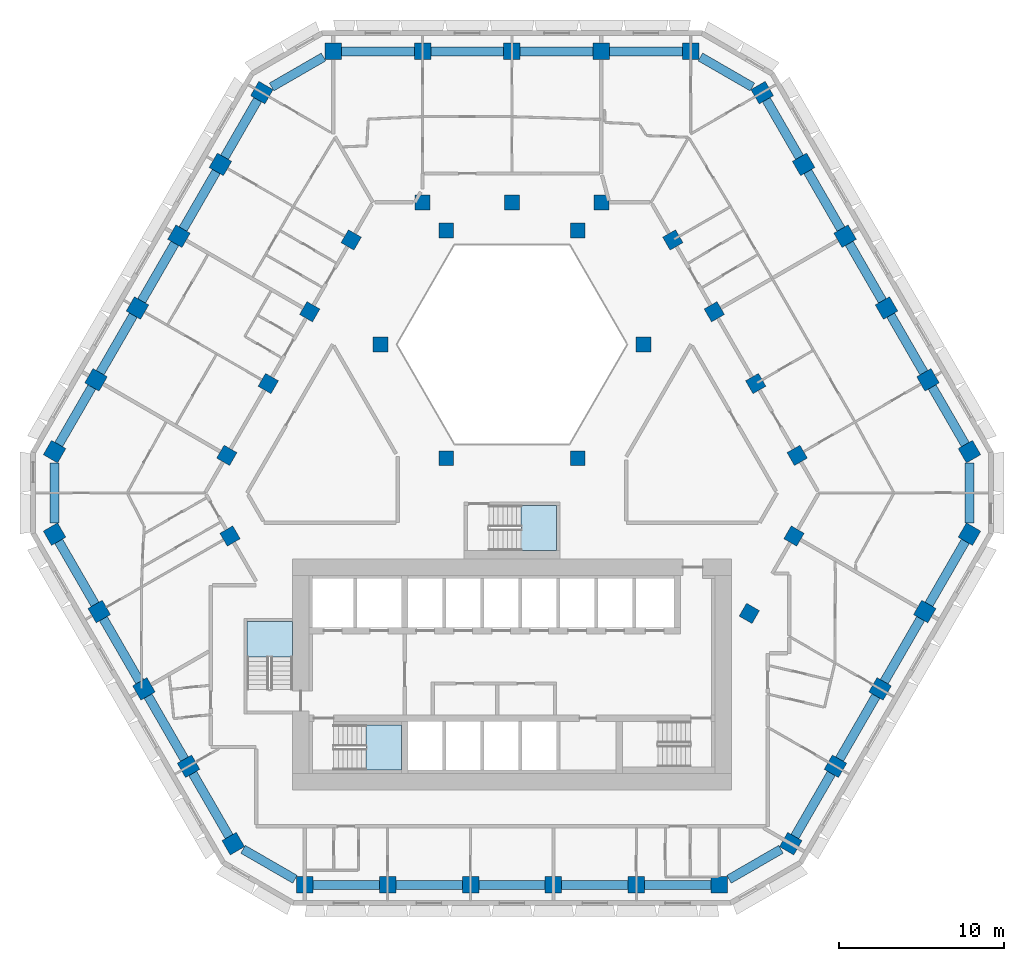
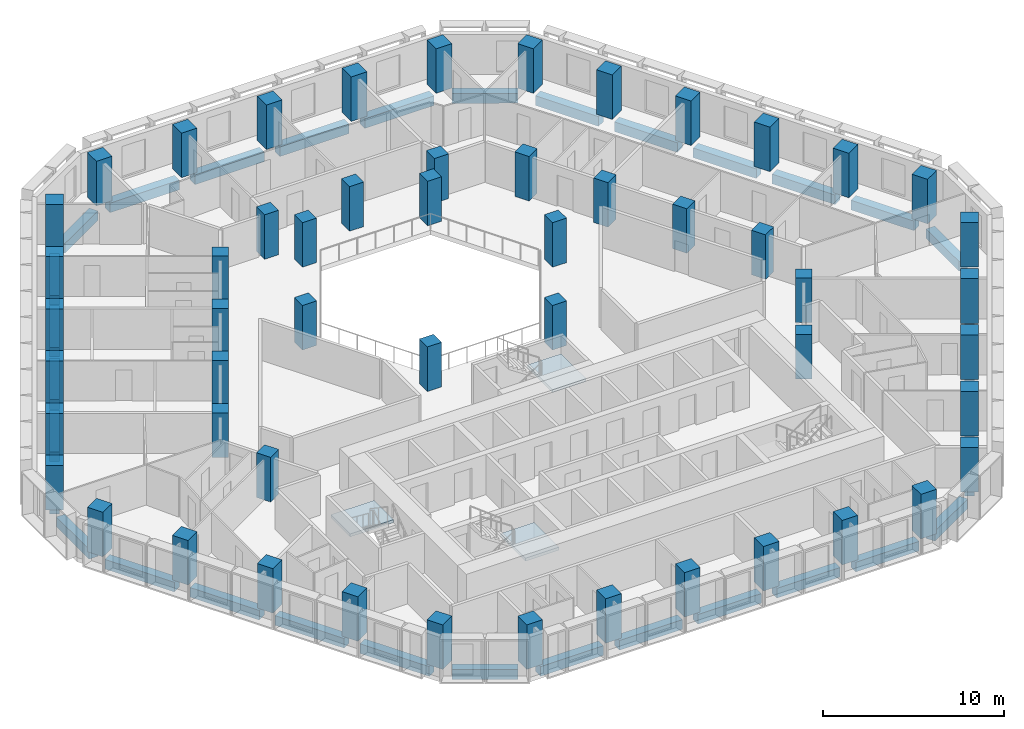
# One storey, part 1 of 15: 53 columns, 33 beams, 3 slabs, 3 elements without a shape of their own.
"""IFC4 building model written with IfcOpenShell, lengths in metres."""

from ifc_helpers import new_model, si_unit, direction, frame, origin, origin_2d, place, context, subcontext, project, spatial, polyline, rectangle, outline, extrude, material, layer, layer_set, material_profile, profile_set, type_object, element, aggregate, save


model = new_model("IFC4")

# Units and contexts
model_context = context("Model", 3, precision=1e-05, world=origin(), true_north=direction((0.0, 1.0)))
body_context = subcontext(model_context, "Body", "Model", "MODEL_VIEW")
ifc_project = project(units=[si_unit("LENGTHUNIT", "METRE"), si_unit("AREAUNIT", "SQUARE_METRE"), si_unit("VOLUMEUNIT", "CUBIC_METRE"), si_unit("PLANEANGLEUNIT", "RADIAN"), si_unit("MASSUNIT", "GRAM", prefix="KILO")], contexts=[model_context])

# Site, building, storey
site_placement = place(None, origin())
site = spatial("IfcSite", under=ifc_project, at=site_placement, CompositionType="ELEMENT")
building_placement = place(site_placement, origin())
building = spatial("IfcBuilding", under=site, at=building_placement, Name="Beryl Residences", CompositionType="ELEMENT")
storey_placement = place(building_placement, frame((0.0, 0.0, 102.0)))
storey = spatial("IfcBuildingStorey", under=building, at=storey_placement, Name="L31", CompositionType="ELEMENT", Elevation=102.0)

# Columns
ifc_material_1 = material(Name="Concrete C70/85", Category="concrete")
ifc_material_profile_1 = material_profile(ifc_material_1, rectangle(XDim=1.0, YDim=1.0, at=origin_2d()))
ifc_profile_set_1 = profile_set([ifc_material_profile_1], Name="Concrete C70/85")
column_type_1 = type_object("IfcColumnType", Name="C2 tube column 1000 x 1000 C70/85", PredefinedType="COLUMN", material=ifc_profile_set_1)
for number, where, z_axis, x_axis, name in (
    (1, (10.824951171875, 25.75, 0.0), (0.0, 0.0, 1.0), (-1.0, 0.0, 0.0), "C2-N1 L31"),
    (2, (5.412109375, 25.75, 0.0), (0.0, 0.0, 1.0), (-1.0, 0.0, 0.0), "C2-N2 L31"),
    (3, (-0.0009765625, 25.75, 0.0), (0.0, 0.0, 1.0), (-1.0, 0.0, 0.0), "C2-N3 L31"),
    (4, (-5.4140625, 25.75, 0.0), (0.0, 0.0, 1.0), (-1.0, 0.0, 0.0), "C2-N4 L31"),
    (5, (-10.826904296875, 25.75, 0.0), (0.0, 0.0, 1.0), (-1.0, 0.0, 0.0), "C2-N5 L31"),
    (6, (-15.155029296875, 23.2509765625, 0.0), (0.0, 0.0, 1.0), (-0.5, -0.866025403784, 0.0), "C2-NW1 L31"),
    (7, (-17.6669921875, 18.89990234375, 0.0), (0.0, 0.0, 1.0), (-0.5, -0.866025403784, 0.0), "C2-NW2 L31"),
    (8, (-20.177978515625, 14.550048828125, 0.0), (0.0, 0.0, 1.0), (-0.5, -0.866025403784, 0.0), "C2-NW3 L31"),
    (9, (-22.68994140625, 10.199951171875, 0.0), (0.0, 0.0, 1.0), (-0.5, -0.866025403784, 0.0), "C2-NW4 L31"),
    (10, (-25.201904296875, 5.85009765625, 0.0), (0.0, 0.0, 1.0), (-0.5, -0.866025403784, 0.0), "C2-NW5 L31"),
    (11, (-27.712890625, 1.5, 0.0), (0.0, 0.0, 1.0), (-0.5, -0.866025403784, 0.0), "C2-NW6 L31"),
    (12, (-27.714111328125, -3.4990234375, 0.0), (0.0, 0.0, 1.0), (0.5, -0.866025403784, 0.0), "C2-SW1 L31"),
    (13, (-25.007080078125, -8.18701171875, 0.0), (0.0, 0.0, 1.0), (0.5, -0.866025403784, 0.0), "C2-SW2 L31"),
    (14, (-22.300048828125, -12.875, 0.0), (0.0, 0.0, 1.0), (0.5, -0.866025403784, 0.0), "C2-SW3 L31"),
    (15, (-19.593994140625, -17.56298828125, 0.0), (0.0, 0.0, 1.0), (0.5, -0.866025403784, 0.0), "C2-SW4 L31"),
    (16, (-16.886962890625, -22.2509765625, 0.0), (0.0, 0.0, 1.0), (0.5, -0.866025403784, 0.0), "C2-SW5 L31"),
    (17, (-12.556884765625, -24.75, 0.0), (0.0, 0.0, 1.0), (1.0, 0.0, 0.0), "C2-S1 L31"),
    (18, (-7.533935546875, -24.75, 0.0), (0.0, 0.0, 1.0), (1.0, 0.0, 0.0), "C2-S2 L31"),
    (19, (-2.510986328125, -24.75, 0.0), (0.0, 0.0, 1.0), (1.0, 0.0, 0.0), "C2-S3 L31"),
    (20, (2.511962890625, -24.75, 0.0), (0.0, 0.0, 1.0), (1.0, 0.0, 0.0), "C2-S4 L31"),
    (21, (7.534912109375, -24.75, 0.0), (0.0, 0.0, 1.0), (1.0, 0.0, 0.0), "C2-S5 L31"),
    (22, (12.55810546875, -24.75, 0.0), (0.0, 0.0, 1.0), (1.0, 0.0, 0.0), "C2-S6 L31"),
    (23, (16.886962890625, -22.2509765625, 0.0), (0.0, 0.0, 1.0), (0.5, 0.866025403784, 0.0), "C2-SE1 L31"),
    (24, (19.593994140625, -17.56298828125, 0.0), (0.0, 0.0, 1.0), (0.5, 0.866025403784, 0.0), "C2-SE2 L31"),
    (25, (22.300048828125, -12.875, 0.0), (0.0, 0.0, 1.0), (0.5, 0.866025403784, 0.0), "C2-SE3 L31"),
    (26, (25.007080078125, -8.18701171875, 0.0), (0.0, 0.0, 1.0), (0.5, 0.866025403784, 0.0), "C2-SE4 L31"),
    (27, (27.714111328125, -3.4990234375, 0.0), (0.0, 0.0, 1.0), (0.5, 0.866025403784, 0.0), "C2-SE5 L31"),
    (28, (27.714111328125, 1.4990234375, 0.0), (0.0, 0.0, 1.0), (-0.5, 0.866025403784, 0.0), "C2-NE1 L31"),
    (29, (25.201904296875, 5.85009765625, 0.0), (0.0, 0.0, 1.0), (-0.5, 0.866025403784, 0.0), "C2-NE2 L31"),
    (30, (22.68994140625, 10.199951171875, 0.0), (0.0, 0.0, 1.0), (-0.5, 0.866025403784, 0.0), "C2-NE3 L31"),
    (31, (20.178955078125, 14.550048828125, 0.0), (0.0, 0.0, 1.0), (-0.5, 0.866025403784, 0.0), "C2-NE4 L31"),
    (32, (17.6669921875, 18.89990234375, 0.0), (0.0, 0.0, 1.0), (-0.5, 0.866025403784, 0.0), "C2-NE5 L31"),
    (33, (15.156005859375, 23.25, 0.0), (0.0, 0.0, 1.0), (-0.5, 0.866025403784, 0.0), "C2-NE6 L31"),
):
    element("IfcColumn", number, at=place(storey_placement, frame(where, z_axis=z_axis, x_axis=x_axis)), inside=storey, type_object=column_type_1, Name=name, PredefinedType="COLUMN", context=body_context, shape_type="SweptSolid", body=[
        extrude(rectangle(XDim=1.0, YDim=1.0, at=origin_2d()), origin(), (0.0, 0.0, 1.0), 3.0),
    ])
ifc_material_2 = material(Name="Concrete C70/85", Category="concrete")
ifc_material_profile_2 = material_profile(ifc_material_2, rectangle(XDim=0.89990234375, YDim=0.89990234375, at=origin_2d()))
ifc_profile_set_2 = profile_set([ifc_material_profile_2], Name="Concrete C70/85")
column_type_2 = type_object("IfcColumnType", Name="IC2 interior column 900 x 900 C70/85", PredefinedType="COLUMN", material=ifc_profile_set_2)
for number, where, z_axis, x_axis, name in (
    (34, (-17.0830078125, -3.612060546875, 0.0), (0.0, 0.0, 1.0), (0.5, -0.866025403784, 0.0), "IC2-M01 L31"),
    (35, (14.3759765625, -8.300048828125, 0.0), (0.0, 0.0, 1.0), (0.5, 0.866025403784, 0.0), "IC2-M02 L31"),
    (36, (17.0830078125, -3.612060546875, 0.0), (0.0, 0.0, 1.0), (0.5, 0.866025403784, 0.0), "IC2-M03 L31"),
    (37, (17.278076171875, 1.27392578125, 0.0), (0.0, 0.0, 1.0), (-0.5, 0.866025403784, 0.0), "IC2-M04 L31"),
    (38, (3.98388671875, 1.10009765625, 0.0), (0.0, 0.0, 1.0), (1.0, 0.0, 0.0), "IC2-A05 L31"),
    (39, (14.76611328125, 5.625, 0.0), (0.0, 0.0, 1.0), (-0.5, 0.866025403784, 0.0), "IC2-M06 L31"),
    (40, (12.2548828125, 9.97509765625, 0.0), (0.0, 0.0, 1.0), (-0.5, 0.866025403784, 0.0), "IC2-M07 L31"),
    (41, (7.967041015625, 8.0, 0.0), (0.0, 0.0, 1.0), (1.0, 0.0, 0.0), "IC2-A08 L31"),
    (42, (9.742919921875, 14.324951171875, 0.0), (0.0, 0.0, 1.0), (-0.5, 0.866025403784, 0.0), "IC2-M09 L31"),
    (43, (5.412109375, 16.60009765625, 0.0), (0.0, 0.0, 1.0), (-1.0, 0.0, 0.0), "IC2-M10 L31"),
    (44, (3.98388671875, 14.89990234375, 0.0), (0.0, 0.0, 1.0), (1.0, 0.0, 0.0), "IC2-A11 L31"),
    (45, (-0.0009765625, 16.60009765625, 0.0), (0.0, 0.0, 1.0), (-1.0, 0.0, 0.0), "IC2-M12 L31"),
    (46, (-3.98388671875, 14.89990234375, 0.0), (0.0, 0.0, 1.0), (1.0, 0.0, 0.0), "IC2-A13 L31"),
    (47, (-5.4140625, 16.60009765625, 0.0), (0.0, 0.0, 1.0), (-1.0, 0.0, 0.0), "IC2-M14 L31"),
    (48, (-9.742919921875, 14.324951171875, 0.0), (0.0, 0.0, 1.0), (-0.5, -0.866025403784, 0.0), "IC2-M15 L31"),
    (49, (-7.967041015625, 8.0, 0.0), (0.0, 0.0, 1.0), (1.0, 0.0, 0.0), "IC2-A16 L31"),
    (50, (-12.25390625, 9.97509765625, 0.0), (0.0, 0.0, 1.0), (-0.5, -0.866025403784, 0.0), "IC2-M17 L31"),
    (51, (-14.76611328125, 5.625, 0.0), (0.0, 0.0, 1.0), (-0.5, -0.866025403784, 0.0), "IC2-M18 L31"),
    (52, (-3.98388671875, 1.10009765625, 0.0), (0.0, 0.0, 1.0), (1.0, 0.0, 0.0), "IC2-A19 L31"),
    (53, (-17.277099609375, 1.27490234375, 0.0), (0.0, 0.0, 1.0), (-0.5, -0.866025403784, 0.0), "IC2-M20 L31"),
):
    element("IfcColumn", number, at=place(storey_placement, frame(where, z_axis=z_axis, x_axis=x_axis)), inside=storey, type_object=column_type_2, Name=name, PredefinedType="COLUMN", context=body_context, shape_type="SweptSolid", body=[
        extrude(rectangle(XDim=0.89990234375, YDim=0.89990234375, at=origin_2d()), origin(), (0.0, 0.0, 1.0), 3.0),
    ])

# Beams
ifc_material_3 = material(Name="Concrete C70/85", Category="concrete")
ifc_material_profile_3 = material_profile(ifc_material_3, rectangle(XDim=0.550048828125, YDim=0.64990234375, at=origin_2d()))
ifc_profile_set_3 = profile_set([ifc_material_profile_3], Name="Concrete C70/85")
beam_type = type_object("IfcBeamType", Name="SB2 spandrel beam 550 x 650 C70/85", PredefinedType="SPANDREL", material=ifc_profile_set_3)
beam_1_placement = place(storey_placement, frame((10.324951171875, 25.75, -0.625), z_axis=(-1.0, 0.0, 0.0), x_axis=(0.0, -1.0, 0.0)))
element("IfcBeam", 54, at=beam_1_placement, inside=storey, type_object=beam_type, Name="SB2 L31 N-0", PredefinedType="SPANDREL", context=body_context, shape_type="SweptSolid", body=[
    extrude(rectangle(XDim=0.550048828125, YDim=0.64990234375, at=origin_2d()), origin(), (0.0, 0.0, 1.0), 4.412841796875),
])
for number, where, z_axis, x_axis, name in (
    (55, (4.912109375, 25.75, -0.625), (-1.0, 0.0, 0.0), (0.0, -1.0, 0.0), "SB2 L31 N-1"),
    (56, (-0.5009765625, 25.75, -0.625), (-1.0, 0.0, 0.0), (0.0, -1.0, 0.0), "SB2 L31 N-2"),
):
    element("IfcBeam", number, at=place(storey_placement, frame(where, z_axis=z_axis, x_axis=x_axis)), inside=storey, type_object=beam_type, Name=name, PredefinedType="SPANDREL", context=body_context, shape_type="SweptSolid", body=[
        extrude(rectangle(XDim=0.550048828125, YDim=0.64990234375, at=origin_2d()), origin(), (0.0, 0.0, 1.0), 4.4130859375),
    ])
beam_2_placement = place(storey_placement, frame((-5.9140625, 25.75, -0.625), z_axis=(-1.0, 0.0, 0.0), x_axis=(0.0, -1.0, 0.0)))
element("IfcBeam", 57, at=beam_2_placement, inside=storey, type_object=beam_type, Name="SB2 L31 N-3", PredefinedType="SPANDREL", context=body_context, shape_type="SweptSolid", body=[
    extrude(rectangle(XDim=0.550048828125, YDim=0.64990234375, at=origin_2d()), origin(), (0.0, 0.0, 1.0), 4.412841796875),
])
beam_3_placement = place(storey_placement, frame((-11.41796875, 25.408935546875, -0.625), z_axis=(-0.865959503272, -0.500114125668, 0.0), x_axis=(0.500114125668, -0.865959503272, 0.0)))
element("IfcBeam", 58, at=beam_3_placement, inside=storey, type_object=beam_type, Name="SB2 L31 N-4", PredefinedType="SPANDREL", context=body_context, shape_type="SweptSolid", body=[
    extrude(rectangle(XDim=0.550048828125, YDim=0.64990234375, at=origin_2d()), origin(), (0.0, 0.0, 1.0), 3.633056640625),
])
beam_4_placement = place(storey_placement, frame((-15.405029296875, 22.818115234375, -0.625), z_axis=(-0.49996928203, -0.866043138087, 0.0), x_axis=(0.866043138087, -0.49996928203, 0.0)))
element("IfcBeam", 59, at=beam_4_placement, inside=storey, type_object=beam_type, Name="SB2 L31 NW-0", PredefinedType="SPANDREL", context=body_context, shape_type="SweptSolid", body=[
    extrude(rectangle(XDim=0.550048828125, YDim=0.64990234375, at=origin_2d()), origin(), (0.0, 0.0, 1.0), 4.024169921875),
])
beam_5_placement = place(storey_placement, frame((-17.9169921875, 18.467041015625, -0.625), z_axis=(-0.499892318183, -0.866087564985, 0.0), x_axis=(0.866087564985, -0.499892318183, 0.0)))
element("IfcBeam", 60, at=beam_5_placement, inside=storey, type_object=beam_type, Name="SB2 L31 NW-1", PredefinedType="SPANDREL", context=body_context, shape_type="SweptSolid", body=[
    extrude(rectangle(XDim=0.550048828125, YDim=0.64990234375, at=origin_2d()), origin(), (0.0, 0.0, 1.0), 4.02294921875),
])
beam_6_placement = place(storey_placement, frame((-20.427978515625, 14.116943359375, -0.625), z_axis=(-0.500100656611, -0.865967281863, 0.0), x_axis=(0.865967281863, -0.500100656611, 0.0)))
element("IfcBeam", 61, at=beam_6_placement, inside=storey, type_object=beam_type, Name="SB2 L31 NW-2", PredefinedType="SPANDREL", context=body_context, shape_type="SweptSolid", body=[
    extrude(rectangle(XDim=0.550048828125, YDim=0.64990234375, at=origin_2d()), origin(), (0.0, 0.0, 1.0), 4.023193359375),
])
beam_7_placement = place(storey_placement, frame((-22.93994140625, 9.76708984375, -0.625), z_axis=(-0.500074377092, -0.865982457891, 0.0), x_axis=(0.865982457891, -0.500074377092, 0.0)))
element("IfcBeam", 62, at=beam_7_placement, inside=storey, type_object=beam_type, Name="SB2 L31 NW-3", PredefinedType="SPANDREL", context=body_context, shape_type="SweptSolid", body=[
    extrude(rectangle(XDim=0.550048828125, YDim=0.64990234375, at=origin_2d()), origin(), (0.0, 0.0, 1.0), 4.0234375),
])
beam_8_placement = place(storey_placement, frame((-25.451904296875, 5.4169921875, -0.625), z_axis=(-0.499918594511, -0.866072398164, 0.0), x_axis=(0.866072398164, -0.499918594511, 0.0)))
element("IfcBeam", 63, at=beam_8_placement, inside=storey, type_object=beam_type, Name="SB2 L31 NW-4", PredefinedType="SPANDREL", context=body_context, shape_type="SweptSolid", body=[
    extrude(rectangle(XDim=0.550048828125, YDim=0.64990234375, at=origin_2d()), origin(), (0.0, 0.0, 1.0), 4.022705078125),
])
beam_9_placement = place(storey_placement, frame((-27.712890625, 0.81689453125, -0.625), z_axis=(-0.000336021486, -0.999999943545, 0.0), x_axis=(0.999999943545, -0.000336021486, 0.0)))
element("IfcBeam", 64, at=beam_9_placement, inside=storey, type_object=beam_type, Name="SB2 L31 NW-5", PredefinedType="SPANDREL", context=body_context, shape_type="SweptSolid", body=[
    extrude(rectangle(XDim=0.550048828125, YDim=0.64990234375, at=origin_2d()), origin(), (0.0, 0.0, 1.0), 3.6328125),
])
beam_10_placement = place(storey_placement, frame((-27.464111328125, -3.931884765625, -0.625), z_axis=(0.50006561292, -0.865987518834, 0.0), x_axis=(0.865987518834, 0.50006561292, 0.0)))
element("IfcBeam", 65, at=beam_10_placement, inside=storey, type_object=beam_type, Name="SB2 L31 SW-0", PredefinedType="SPANDREL", context=body_context, shape_type="SweptSolid", body=[
    extrude(rectangle(XDim=0.550048828125, YDim=0.64990234375, at=origin_2d()), origin(), (0.0, 0.0, 1.0), 4.41357421875),
])
beam_11_placement = place(storey_placement, frame((-24.757080078125, -8.6201171875, -0.625), z_axis=(0.500089568931, -0.865973684962, 0.0), x_axis=(0.865973684962, 0.500089568931, 0.0)))
element("IfcBeam", 66, at=beam_11_placement, inside=storey, type_object=beam_type, Name="SB2 L31 SW-1", PredefinedType="SPANDREL", context=body_context, shape_type="SweptSolid", body=[
    extrude(rectangle(XDim=0.550048828125, YDim=0.64990234375, at=origin_2d()), origin(), (0.0, 0.0, 1.0), 4.413330078125),
])
beam_12_placement = place(storey_placement, frame((-22.050048828125, -13.30810546875, -0.625), z_axis=(0.49992360228, -0.866069507536, 0.0), x_axis=(0.866069507536, 0.49992360228, 0.0)))
element("IfcBeam", 67, at=beam_12_placement, inside=storey, type_object=beam_type, Name="SB2 L31 SW-2", PredefinedType="SPANDREL", context=body_context, shape_type="SweptSolid", body=[
    extrude(rectangle(XDim=0.550048828125, YDim=0.64990234375, at=origin_2d()), origin(), (0.0, 0.0, 1.0), 4.412841796875),
])
beam_13_placement = place(storey_placement, frame((-19.343994140625, -17.99609375, -0.625), z_axis=(0.50006561292, -0.865987518834, 0.0), x_axis=(0.865987518834, 0.50006561292, 0.0)))
element("IfcBeam", 68, at=beam_13_placement, inside=storey, type_object=beam_type, Name="SB2 L31 SW-3", PredefinedType="SPANDREL", context=body_context, shape_type="SweptSolid", body=[
    extrude(rectangle(XDim=0.550048828125, YDim=0.64990234375, at=origin_2d()), origin(), (0.0, 0.0, 1.0), 4.41357421875),
])
beam_14_placement = place(storey_placement, frame((-16.2958984375, -22.592041015625, -0.625), z_axis=(0.866093873939, -0.499881387456, 0.0), x_axis=(0.499881387456, 0.866093873939, 0.0)))
element("IfcBeam", 69, at=beam_14_placement, inside=storey, type_object=beam_type, Name="SB2 L31 SW-4", PredefinedType="SPANDREL", context=body_context, shape_type="SweptSolid", body=[
    extrude(rectangle(XDim=0.550048828125, YDim=0.64990234375, at=origin_2d()), origin(), (0.0, 0.0, 1.0), 3.634765625),
])
for number, where, z_axis, x_axis, name in (
    (70, (-12.056884765625, -24.75, -0.625), (1.0, 0.0, 0.0), (0.0, 1.0, 0.0), "SB2 L31 S-0"),
    (71, (-7.033935546875, -24.75, -0.625), (1.0, 0.0, 0.0), (0.0, 1.0, 0.0), "SB2 L31 S-1"),
    (72, (-2.010986328125, -24.75, -0.625), (1.0, 0.0, 0.0), (0.0, 1.0, 0.0), "SB2 L31 S-2"),
    (73, (3.011962890625, -24.75, -0.625), (1.0, 0.0, 0.0), (0.0, 1.0, 0.0), "SB2 L31 S-3"),
):
    element("IfcBeam", number, at=place(storey_placement, frame(where, z_axis=z_axis, x_axis=x_axis)), inside=storey, type_object=beam_type, Name=name, PredefinedType="SPANDREL", context=body_context, shape_type="SweptSolid", body=[
        extrude(rectangle(XDim=0.550048828125, YDim=0.64990234375, at=origin_2d()), origin(), (0.0, 0.0, 1.0), 4.02294921875),
    ])
beam_15_placement = place(storey_placement, frame((8.034912109375, -24.75, -0.625), z_axis=(1.0, 0.0, 0.0), x_axis=(0.0, 1.0, 0.0)))
element("IfcBeam", 74, at=beam_15_placement, inside=storey, type_object=beam_type, Name="SB2 L31 S-4", PredefinedType="SPANDREL", context=body_context, shape_type="SweptSolid", body=[
    extrude(rectangle(XDim=0.550048828125, YDim=0.64990234375, at=origin_2d()), origin(), (0.0, 0.0, 1.0), 4.023193359375),
])
beam_16_placement = place(storey_placement, frame((13.14892578125, -24.408935546875, -0.625), z_axis=(0.866026712061, 0.499997733992, 0.0), x_axis=(-0.499997733992, 0.866026712061, 0.0)))
element("IfcBeam", 75, at=beam_16_placement, inside=storey, type_object=beam_type, Name="SB2 L31 S-5", PredefinedType="SPANDREL", context=body_context, shape_type="SweptSolid", body=[
    extrude(rectangle(XDim=0.550048828125, YDim=0.64990234375, at=origin_2d()), origin(), (0.0, 0.0, 1.0), 3.6337890625),
])
beam_17_placement = place(storey_placement, frame((17.136962890625, -21.818115234375, -0.625), z_axis=(0.50006561292, 0.865987518834, 0.0), x_axis=(-0.865987518834, 0.50006561292, 0.0)))
element("IfcBeam", 76, at=beam_17_placement, inside=storey, type_object=beam_type, Name="SB2 L31 SE-0", PredefinedType="SPANDREL", context=body_context, shape_type="SweptSolid", body=[
    extrude(rectangle(XDim=0.550048828125, YDim=0.64990234375, at=origin_2d()), origin(), (0.0, 0.0, 1.0), 4.41357421875),
])
beam_18_placement = place(storey_placement, frame((19.843994140625, -17.1298828125, -0.625), z_axis=(0.49992360228, 0.866069507536, 0.0), x_axis=(-0.866069507536, 0.49992360228, 0.0)))
element("IfcBeam", 77, at=beam_18_placement, inside=storey, type_object=beam_type, Name="SB2 L31 SE-1", PredefinedType="SPANDREL", context=body_context, shape_type="SweptSolid", body=[
    extrude(rectangle(XDim=0.550048828125, YDim=0.64990234375, at=origin_2d()), origin(), (0.0, 0.0, 1.0), 4.412841796875),
])
beam_19_placement = place(storey_placement, frame((22.550048828125, -12.44189453125, -0.625), z_axis=(0.500089568931, 0.865973684962, 0.0), x_axis=(-0.865973684962, 0.500089568931, 0.0)))
element("IfcBeam", 78, at=beam_19_placement, inside=storey, type_object=beam_type, Name="SB2 L31 SE-2", PredefinedType="SPANDREL", context=body_context, shape_type="SweptSolid", body=[
    extrude(rectangle(XDim=0.550048828125, YDim=0.64990234375, at=origin_2d()), origin(), (0.0, 0.0, 1.0), 4.413330078125),
])
beam_20_placement = place(storey_placement, frame((25.257080078125, -7.75390625, -0.625), z_axis=(0.50006561292, 0.865987518834, 0.0), x_axis=(-0.865987518834, 0.50006561292, 0.0)))
element("IfcBeam", 79, at=beam_20_placement, inside=storey, type_object=beam_type, Name="SB2 L31 SE-3", PredefinedType="SPANDREL", context=body_context, shape_type="SweptSolid", body=[
    extrude(rectangle(XDim=0.550048828125, YDim=0.64990234375, at=origin_2d()), origin(), (0.0, 0.0, 1.0), 4.41357421875),
])
beam_21_placement = place(storey_placement, frame((27.714111328125, -2.81591796875, -0.625), z_axis=(0.0, 1.0, 0.0), x_axis=(-1.0, 0.0, 0.0)))
element("IfcBeam", 80, at=beam_21_placement, inside=storey, type_object=beam_type, Name="SB2 L31 SE-4", PredefinedType="SPANDREL", context=body_context, shape_type="SweptSolid", body=[
    extrude(rectangle(XDim=0.550048828125, YDim=0.64990234375, at=origin_2d()), origin(), (0.0, 0.0, 1.0), 3.6318359375),
])
beam_22_placement = place(storey_placement, frame((27.464111328125, 1.931884765625, -0.625), z_axis=(-0.500014783214, 0.866016868524, 0.0), x_axis=(-0.866016868524, -0.500014783214, 0.0)))
element("IfcBeam", 81, at=beam_22_placement, inside=storey, type_object=beam_type, Name="SB2 L31 NE-0", PredefinedType="SPANDREL", context=body_context, shape_type="SweptSolid", body=[
    extrude(rectangle(XDim=0.550048828125, YDim=0.64990234375, at=origin_2d()), origin(), (0.0, 0.0, 1.0), 4.0244140625),
])
beam_23_placement = place(storey_placement, frame((24.951904296875, 6.282958984375, -0.625), z_axis=(-0.500074377092, 0.865982457891, 0.0), x_axis=(-0.865982457891, -0.500074377092, 0.0)))
element("IfcBeam", 82, at=beam_23_placement, inside=storey, type_object=beam_type, Name="SB2 L31 NE-1", PredefinedType="SPANDREL", context=body_context, shape_type="SweptSolid", body=[
    extrude(rectangle(XDim=0.550048828125, YDim=0.64990234375, at=origin_2d()), origin(), (0.0, 0.0, 1.0), 4.0234375),
])
beam_24_placement = place(storey_placement, frame((22.43994140625, 10.633056640625, -0.625), z_axis=(-0.499918594511, 0.866072398164, 0.0), x_axis=(-0.866072398164, -0.499918594511, 0.0)))
element("IfcBeam", 83, at=beam_24_placement, inside=storey, type_object=beam_type, Name="SB2 L31 NE-2", PredefinedType="SPANDREL", context=body_context, shape_type="SweptSolid", body=[
    extrude(rectangle(XDim=0.550048828125, YDim=0.64990234375, at=origin_2d()), origin(), (0.0, 0.0, 1.0), 4.022705078125),
])
beam_25_placement = place(storey_placement, frame((19.928955078125, 14.98291015625, -0.625), z_axis=(-0.500074377092, 0.865982457891, 0.0), x_axis=(-0.865982457891, -0.500074377092, 0.0)))
element("IfcBeam", 84, at=beam_25_placement, inside=storey, type_object=beam_type, Name="SB2 L31 NE-3", PredefinedType="SPANDREL", context=body_context, shape_type="SweptSolid", body=[
    extrude(rectangle(XDim=0.550048828125, YDim=0.64990234375, at=origin_2d()), origin(), (0.0, 0.0, 1.0), 4.0234375),
])
beam_26_placement = place(storey_placement, frame((17.4169921875, 19.3330078125, -0.625), z_axis=(-0.499918594511, 0.866072398164, 0.0), x_axis=(-0.866072398164, -0.499918594511, 0.0)))
element("IfcBeam", 85, at=beam_26_placement, inside=storey, type_object=beam_type, Name="SB2 L31 NE-4", PredefinedType="SPANDREL", context=body_context, shape_type="SweptSolid", body=[
    extrude(rectangle(XDim=0.550048828125, YDim=0.64990234375, at=origin_2d()), origin(), (0.0, 0.0, 1.0), 4.022705078125),
])
beam_27_placement = place(storey_placement, frame((14.56494140625, 23.591064453125, -0.625), z_axis=(-0.866044702259, 0.499966572571, 0.0), x_axis=(-0.499966572571, -0.866044702259, 0.0)))
element("IfcBeam", 86, at=beam_27_placement, inside=storey, type_object=beam_type, Name="SB2 L31 NE-5", PredefinedType="SPANDREL", context=body_context, shape_type="SweptSolid", body=[
    extrude(rectangle(XDim=0.550048828125, YDim=0.64990234375, at=origin_2d()), origin(), (0.0, 0.0, 1.0), 3.635986328125),
])

# Stair, slab
ifc_material_4 = material(Name="Concrete C40/50", Category="concrete")
stair_type = type_object("IfcStairType", Name="ST1 protected exit stair, half-turn, 1300 mm flights", PredefinedType="HALF_TURN_STAIR", material=ifc_material_4)
stair_1_placement = place(storey_placement, origin())
stair_1 = element("IfcStair", 87, at=stair_1_placement, inside=storey, type_object=stair_type, Name="L31 PROTECTED EXIT STAIR ST-1", PredefinedType="HALF_TURN_STAIR")
ifc_material_5 = material(Name="Concrete C40/50", Category="concrete")
ifc_layer = layer(ifc_material_5, 0.199951171875)
ifc_layer_set = layer_set([ifc_layer], Name="SLD1 stair landing 200 mm")
slab_type = type_object("IfcSlabType", Name="SLD1 stair landing 200 mm", PredefinedType="LANDING", material=ifc_layer_set)
slab_1_placement = place(storey_placement, frame((0.0, 0.0, 1.300048828125)))
slab_1 = element("IfcSlab", 88, at=slab_1_placement, type_object=slab_type, Name="ST-1 landing 1", PredefinedType="LANDING", context=body_context, shape_type="SweptSolid", body=[
    extrude(outline(polyline([(-8.840087890625, -17.800048828125), (-6.699951171875, -17.800048828125), (-6.699951171875, -15.050048828125), (-8.840087890625, -15.050048828125), (-8.840087890625, -17.800048828125)])), origin(), (0.0, 0.0, 1.0), 0.199951171875),
])
aggregate(stair_1, [slab_1])

stair_2_placement = place(storey_placement, origin())
stair_2 = element("IfcStair", 89, at=stair_2_placement, inside=storey, type_object=stair_type, Name="L31 PROTECTED EXIT STAIR ST-2", PredefinedType="HALF_TURN_STAIR")
slab_2_placement = place(storey_placement, frame((0.0, 0.0, 1.300048828125)))
slab_2 = element("IfcSlab", 90, at=slab_2_placement, type_object=slab_type, Name="ST-2 landing 1", PredefinedType="LANDING", context=body_context, shape_type="SweptSolid", body=[
    extrude(outline(polyline([(-13.300048828125, -10.93994140625), (-13.300048828125, -8.800048828125), (-16.050048828125, -8.800048828125), (-16.050048828125, -10.93994140625), (-13.300048828125, -10.93994140625)])), origin(), (0.0, 0.0, 1.0), 0.199951171875),
])
aggregate(stair_2, [slab_2])

stair_3_placement = place(storey_placement, origin())
stair_3 = element("IfcStair", 91, at=stair_3_placement, inside=storey, type_object=stair_type, Name="L31 PROTECTED EXIT STAIR ST-4", PredefinedType="HALF_TURN_STAIR")
slab_3_placement = place(storey_placement, frame((0.0, 0.0, 1.300048828125)))
slab_3 = element("IfcSlab", 92, at=slab_3_placement, type_object=slab_type, Name="ST-4 landing 1", PredefinedType="LANDING", context=body_context, shape_type="SweptSolid", body=[
    extrude(outline(polyline([(0.56005859375, -4.5), (2.699951171875, -4.5), (2.699951171875, -1.75), (0.56005859375, -1.75), (0.56005859375, -4.5)])), origin(), (0.0, 0.0, 1.0), 0.199951171875),
])
aggregate(stair_3, [slab_3])

save(model, "model.ifc")
